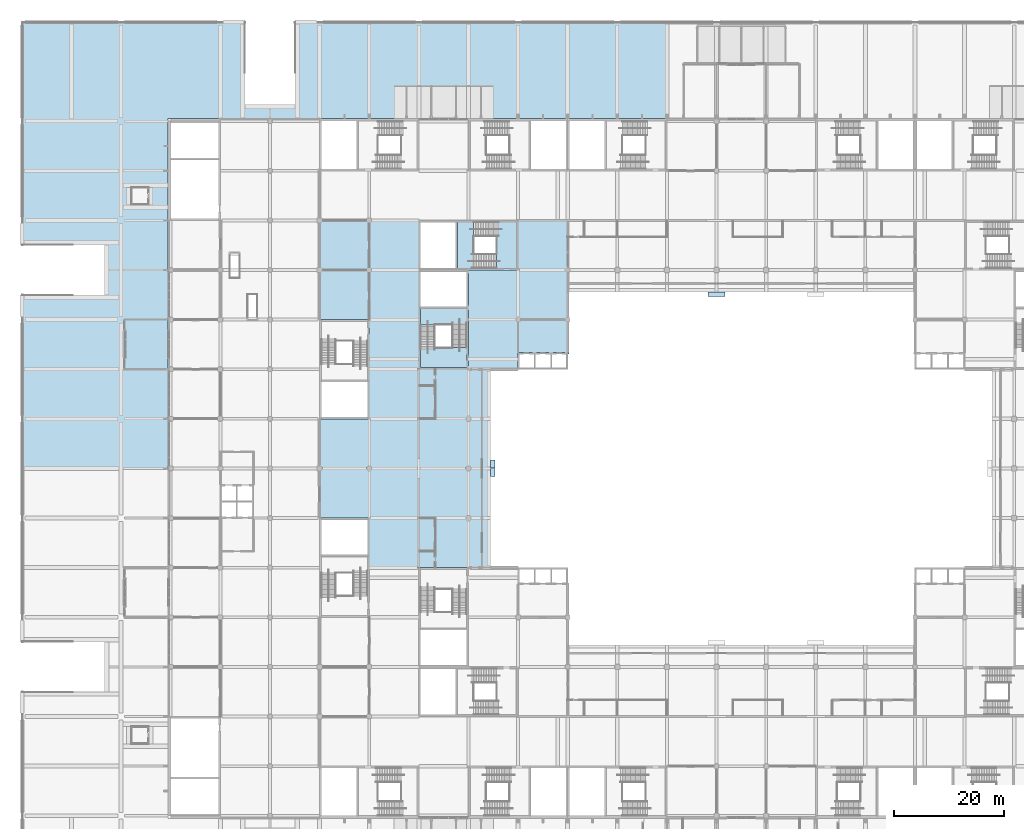
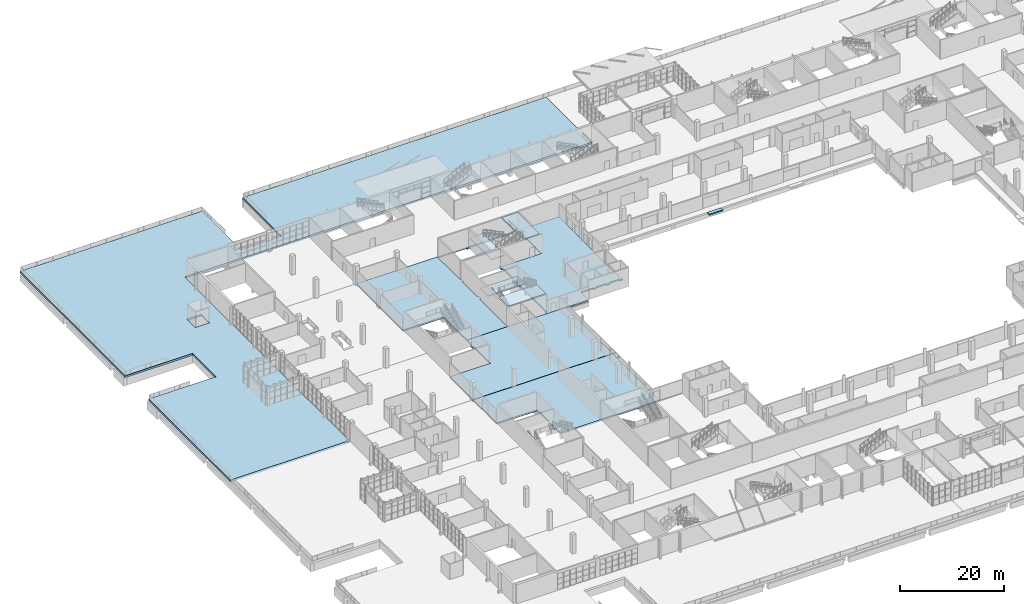
# One storey, part 82 of 168: 11 slabs, 2 elements without a shape of their own.
"""IFC4 building model written with IfcOpenShell, lengths in metres."""

from ifc_helpers import new_model, si_unit, direction, frame, origin, place, context, subcontext, project, spatial, polyline, outline, extrude, material, layer, layer_set, type_object, element, aggregate, save


model = new_model("IFC4")

# Units and contexts
model_context = context("Model", 3, precision=1e-05, world=origin(), true_north=direction((0.0, 1.0)))
body_context = subcontext(model_context, "Body", "Model", "MODEL_VIEW")
ifc_project = project(units=[si_unit("LENGTHUNIT", "METRE"), si_unit("AREAUNIT", "SQUARE_METRE"), si_unit("VOLUMEUNIT", "CUBIC_METRE"), si_unit("PLANEANGLEUNIT", "RADIAN"), si_unit("MASSUNIT", "GRAM", prefix="KILO")], contexts=[model_context])

# Site, building, storey
site_placement = place(None, origin())
site = spatial("IfcSite", under=ifc_project, at=site_placement, CompositionType="ELEMENT")
building_placement = place(site_placement, origin())
building = spatial("IfcBuilding", under=site, at=building_placement, Name="Silverbay Arena", CompositionType="ELEMENT")
storey_placement = place(building_placement, frame((0.0, 0.0, 7.0)))
storey = spatial("IfcBuildingStorey", under=building, at=storey_placement, Name="L01", CompositionType="ELEMENT", Elevation=7.0)

# Slabs
ifc_material_1 = material(Name="Concrete Grade C45", Category="concrete")
ifc_layer_1 = layer(ifc_material_1, 0.35009765625)
ifc_layer_set_1 = layer_set([ifc_layer_1], Name="Concrete Grade C45")
slab_type_1 = type_object("IfcSlabType", Name="RC floor slab 350", PredefinedType="FLOOR", material=ifc_layer_set_1)
slab_1_placement = place(storey_placement, frame((0.0, 0.0, -0.35009765625)))
element("IfcSlab", 1, at=slab_1_placement, inside=storey, type_object=slab_type_1, Name="Floor slab L01 unit 12", PredefinedType="FLOOR", context=body_context, shape_type="SweptSolid", body=[
    extrude(outline(polyline([(81.0, 63.0), (72.0, 63.0), (72.0, 62.97509765625), (63.0, 62.97509765625), (63.0, 64.699951171875), (62.699951171875, 64.699951171875), (62.699951171875, 65.60009765625), (63.0, 65.60009765625), (63.0, 72.0), (54.0, 72.0), (54.0, 81.0), (85.0, 81.0), (85.0, 63.0), (90.0, 63.0), (90.0, 62.97509765625), (81.0, 62.97509765625), (81.0, 63.0)])), origin(), (0.0, 0.0, 1.0), 0.35009765625),
])
slab_2_placement = place(storey_placement, frame((0.0, 0.0, -0.35009765625)))
element("IfcSlab", 2, at=slab_2_placement, inside=storey, type_object=slab_type_1, Name="Floor slab L01 unit 12 B", PredefinedType="FLOOR", context=body_context, shape_type="SweptSolid", body=[
    extrude(outline(polyline([(54.0, 90.0), (63.0, 90.0), (63.0, 96.39990234375), (62.699951171875, 96.39990234375), (62.699951171875, 97.300048828125), (63.0, 97.300048828125), (63.0, 99.0), (85.0, 99.0), (85.0, 81.050048828125), (54.0, 81.050048828125), (54.0, 90.0)])), origin(), (0.0, 0.0, 1.0), 0.35009765625),
])
slab_3_placement = place(storey_placement, frame((0.0, 0.0, -0.35009765625)))
element("IfcSlab", 3, at=slab_3_placement, inside=storey, type_object=slab_type_1, Name="Floor slab L01 unit 16", PredefinedType="FLOOR", context=body_context, shape_type="SweptSolid", body=[
    extrude(outline(polyline([(72.300048828125, 99.0), (63.0, 99.0), (63.0, 108.0), (54.0, 108.0), (54.0, 126.02490234375), (99.0, 126.02490234375), (99.0, 102.0), (99.25, 102.0), (99.25, 101.75), (98.5, 101.75), (98.5, 102.0), (96.35009765625, 102.0), (96.35009765625, 101.75), (95.64990234375, 101.75), (95.64990234375, 102.0), (93.35009765625, 102.0), (93.35009765625, 101.75), (92.64990234375, 101.75), (92.64990234375, 102.0), (90.0, 102.0), (90.0, 99.0), (80.699951171875, 99.0), (80.699951171875, 99.60009765625), (81.0, 99.60009765625), (81.0, 109.699951171875), (80.699951171875, 109.699951171875), (80.699951171875, 110.60009765625), (81.0, 110.60009765625), (81.0, 116.39990234375), (80.699951171875, 116.39990234375), (80.699951171875, 117.300048828125), (81.0, 117.300048828125), (81.0, 117.0), (90.0, 117.0), (90.0, 126.0), (79.300048828125, 126.0), (79.300048828125, 125.699951171875), (78.39990234375, 125.699951171875), (78.39990234375, 126.0), (72.0, 126.0), (72.0, 117.300048828125), (72.300048828125, 117.300048828125), (72.300048828125, 116.39990234375), (72.0, 116.39990234375), (72.0, 110.60009765625), (72.300048828125, 110.60009765625), (72.300048828125, 109.699951171875), (72.0, 109.699951171875), (72.0, 99.60009765625), (72.300048828125, 99.60009765625), (72.300048828125, 99.0)])), origin(), (0.0, 0.0, 1.0), 0.35009765625),
])
ifc_material_2 = material(Name="Concrete Grade C45", Category="concrete")
ifc_layer_2 = layer(ifc_material_2, 0.449951171875)
ifc_layer_set_2 = layer_set([ifc_layer_2], Name="Concrete Grade C45")
slab_type_2 = type_object("IfcSlabType", Name="RC plaza deck slab 450", PredefinedType="FLOOR", material=ifc_layer_set_2)
slab_4_placement = place(storey_placement, frame((0.0, 0.0, -0.449951171875)))
element("IfcSlab", 4, at=slab_4_placement, inside=storey, type_object=slab_type_2, Name="Floor slab L01 unit 1", PredefinedType="FLOOR", context=body_context, shape_type="SweptSolid", body=[
    extrude(outline(polyline([(0.0, 112.5), (15.0, 112.5), (15.0, 121.5), (0.0, 121.5), (0.0, 162.0), (40.5, 162.0), (40.5, 147.0), (49.5, 147.0), (49.5, 162.0), (117.0, 162.0), (117.0, 144.5), (26.5, 144.5), (26.5, 81.050048828125), (0.0, 81.050048828125), (0.0, 112.5)]), holes=[polyline([(23.0, 128.800048828125), (23.0, 132.0), (19.800048828125, 132.0), (19.800048828125, 128.800048828125), (23.0, 128.800048828125)])]), origin(), (0.0, 0.0, 1.0), 0.449951171875),
])

# Stair, slabs
ifc_material_3 = material(Name="Concrete Grade C45", Category="concrete")
stair_type = type_object("IfcStairType", Name="Stair 2600 wide 32 risers 140.6 x 300", PredefinedType="HALF_TURN_STAIR", material=ifc_material_3)
stair_1_placement = place(storey_placement, origin())
stair_1 = element("IfcStair", 5, at=stair_1_placement, inside=storey, type_object=stair_type, Name="Stair ST-NW1 L01 to L02", PredefinedType="HALF_TURN_STAIR")
ifc_material_4 = material(Name="Concrete Grade C45", Category="concrete")
ifc_layer_3 = layer(ifc_material_4, 0.25)
ifc_layer_set_3 = layer_set([ifc_layer_3], Name="Concrete Grade C45")
slab_type_3 = type_object("IfcSlabType", Name="Stair landing RC 250", PredefinedType="LANDING", material=ifc_layer_set_3)
slab_5_placement = place(storey_placement, frame((0.0, 0.0, 2.0)))
slab_5 = element("IfcSlab", 6, at=slab_5_placement, type_object=slab_type_3, Name="Stair ST-NW1 L01 to L02 landing 1", PredefinedType="LANDING", context=body_context, shape_type="SweptSolid", body=[
    extrude(outline(polyline([(81.953369140625, 117.300048828125), (79.0, 117.300048828125), (79.0, 125.699951171875), (81.953369140625, 125.699951171875), (81.953369140625, 117.300048828125)])), origin(), (0.0, 0.0, 1.0), 0.25),
])
slab_6_placement = place(storey_placement, frame((0.0, 0.0, 4.25)))
slab_6 = element("IfcSlab", 7, at=slab_6_placement, type_object=slab_type_3, Name="Stair ST-NW1 L01 to L02 landing 2", PredefinedType="LANDING", context=body_context, shape_type="SweptSolid", body=[
    extrude(outline(polyline([(89.699951171875, 117.300048828125), (86.10009765625, 117.300048828125), (86.10009765625, 125.699951171875), (89.699951171875, 125.699951171875), (89.699951171875, 117.300048828125)])), origin(), (0.0, 0.0, 1.0), 0.25),
])
aggregate(stair_1, [slab_5, slab_6])

stair_2_placement = place(storey_placement, origin())
stair_2 = element("IfcStair", 8, at=stair_2_placement, inside=storey, type_object=stair_type, Name="Stair ST-NW2 L01 to L02", PredefinedType="HALF_TURN_STAIR")
slab_7_placement = place(storey_placement, frame((0.0, 0.0, 2.0)))
slab_7 = element("IfcSlab", 9, at=slab_7_placement, type_object=slab_type_3, Name="Stair ST-NW2 L01 to L02 landing 1", PredefinedType="LANDING", context=body_context, shape_type="SweptSolid", body=[
    extrude(outline(polyline([(80.699951171875, 107.046630859375), (80.699951171875, 110.0), (72.300048828125, 110.0), (72.300048828125, 107.046630859375), (80.699951171875, 107.046630859375)])), origin(), (0.0, 0.0, 1.0), 0.25),
])
slab_8_placement = place(storey_placement, frame((0.0, 0.0, 4.25)))
slab_8 = element("IfcSlab", 10, at=slab_8_placement, type_object=slab_type_3, Name="Stair ST-NW2 L01 to L02 landing 2", PredefinedType="LANDING", context=body_context, shape_type="SweptSolid", body=[
    extrude(outline(polyline([(80.699951171875, 99.300048828125), (80.699951171875, 102.89990234375), (72.300048828125, 102.89990234375), (72.300048828125, 99.300048828125), (80.699951171875, 99.300048828125)])), origin(), (0.0, 0.0, 1.0), 0.25),
])
aggregate(stair_2, [slab_7, slab_8])

# Slabs
ifc_material_5 = material(Name="Concrete Grade C45", Category="concrete")
ifc_layer_4 = layer(ifc_material_5, 0.300048828125)
ifc_layer_set_4 = layer_set([ifc_layer_4], Name="Concrete Grade C45")
slab_type_4 = type_object("IfcSlabType", Name="Vomitory head slab RC 300", PredefinedType="FLOOR", material=ifc_layer_set_4)
slab_9_placement = place(storey_placement, frame((0.0, 0.0, -0.300048828125)))
element("IfcSlab", 11, at=slab_9_placement, inside=storey, type_object=slab_type_4, Name="Vomitory head slab V05", PredefinedType="FLOOR", context=body_context, shape_type="SweptSolid", body=[
    extrude(outline(polyline([(124.5, 112.199951171875), (127.5, 112.199951171875), (127.5, 113.0), (124.5, 113.0), (124.5, 112.199951171875)])), origin(), (0.0, 0.0, 1.0), 0.300048828125),
])
slab_10_placement = place(storey_placement, frame((0.0, 0.0, -0.300048828125)))
element("IfcSlab", 12, at=slab_10_placement, inside=storey, type_object=slab_type_4, Name="Vomitory head slab V09", PredefinedType="FLOOR", context=body_context, shape_type="SweptSolid", body=[
    extrude(outline(polyline([(85.0, 79.5), (85.800048828125, 79.5), (85.800048828125, 81.0), (85.0, 81.0), (85.0, 79.5)])), origin(), (0.0, 0.0, 1.0), 0.300048828125),
])
slab_11_placement = place(storey_placement, frame((0.0, 0.0, -0.300048828125)))
element("IfcSlab", 13, at=slab_11_placement, inside=storey, type_object=slab_type_4, Name="Vomitory head slab V09 B", PredefinedType="FLOOR", context=body_context, shape_type="SweptSolid", body=[
    extrude(outline(polyline([(85.0, 81.050048828125), (85.800048828125, 81.050048828125), (85.800048828125, 82.5), (85.0, 82.5), (85.0, 81.050048828125)])), origin(), (0.0, 0.0, 1.0), 0.300048828125),
])

save(model, "model.ifc")
